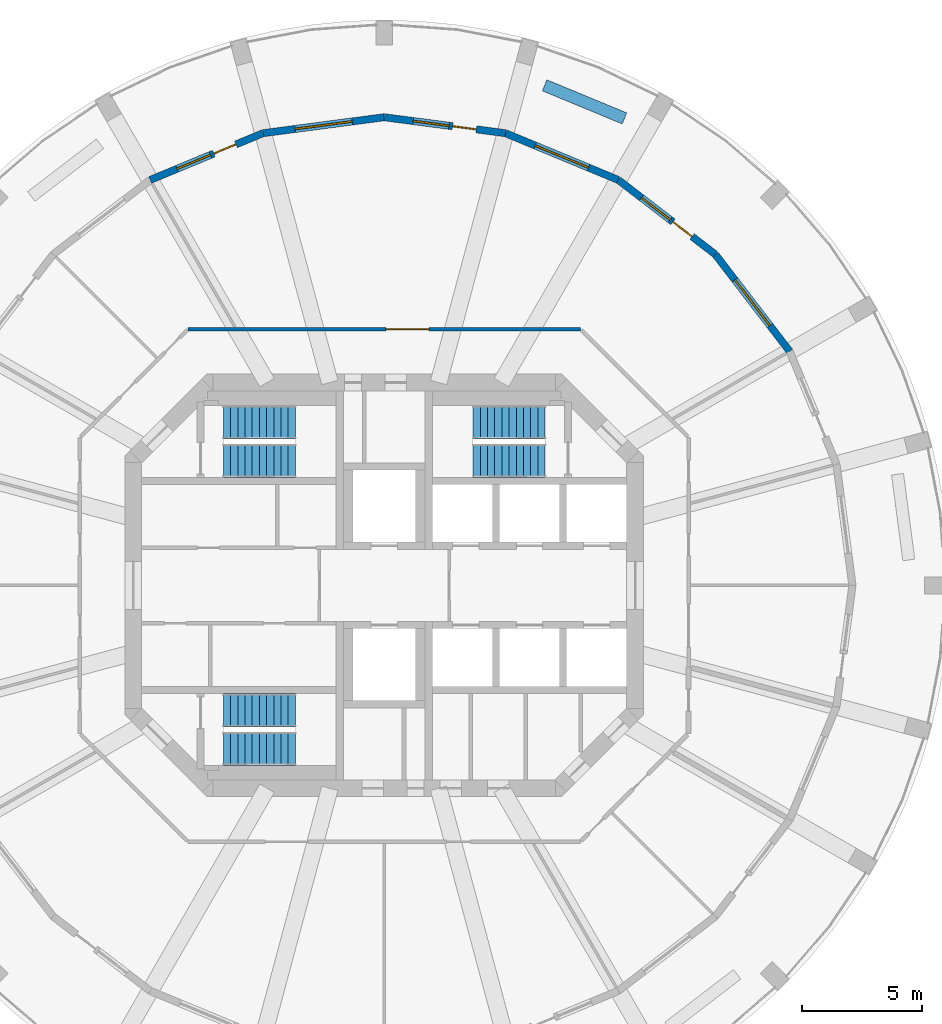
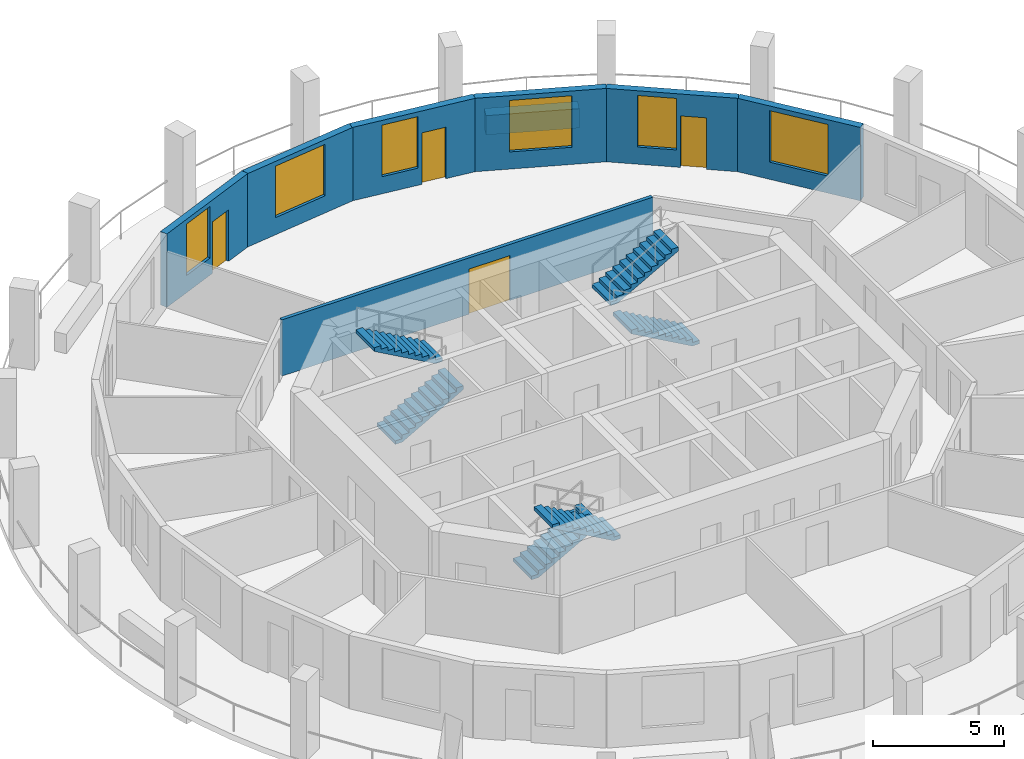
# One storey, part 6 of 8: 8 walls, 6 stair flights, 6 windows, 4 doors, 10 openings, 3 elements without a shape of their own.
"""IFC4 building model written with IfcOpenShell, lengths in metres."""

from ifc_helpers import new_model, si_unit, direction, frame, frame_2d, origin, place, context, subcontext, project, spatial, polyline, rectangle, outline, extrude, material, layer, layer_set, type_object, element, fill, aggregate, save


model = new_model("IFC4")

# Units and contexts
model_context = context("Model", 3, precision=1e-05, world=origin(), true_north=direction((0.0, 1.0)))
body_context = subcontext(model_context, "Body", "Model", "MODEL_VIEW")
ifc_project = project(units=[si_unit("LENGTHUNIT", "METRE"), si_unit("AREAUNIT", "SQUARE_METRE"), si_unit("VOLUMEUNIT", "CUBIC_METRE"), si_unit("PLANEANGLEUNIT", "RADIAN"), si_unit("MASSUNIT", "GRAM", prefix="KILO")], contexts=[model_context])

# Site, building, storey
site_placement = place(None, origin())
site = spatial("IfcSite", under=ifc_project, at=site_placement, CompositionType="ELEMENT")
building_placement = place(site_placement, origin())
building = spatial("IfcBuilding", under=site, at=building_placement, Name="Torre Triforio", CompositionType="ELEMENT")
storey_placement = place(building_placement, frame((0.0, 0.0, 192.800048828125)))
storey = spatial("IfcBuildingStorey", under=building, at=storey_placement, Name="L43", CompositionType="ELEMENT", Elevation=192.800048828125)

# Wall, opening, door
ifc_material_1 = material(Name="Plasterboard on metal studs")
ifc_layer_1 = layer(ifc_material_1, 0.14990234375)
ifc_layer_set_1 = layer_set([ifc_layer_1], Name="Plasterboard on metal studs")
wall_type_1 = type_object("IfcWallType", Name="Corridor and tenancy wall 150 mm EI 60", PredefinedType="PARTITIONING", material=ifc_layer_set_1)
wall_1_placement = place(storey_placement, frame((-8.16650390625, 10.675048828125, 0.0), z_axis=(0.0, 0.0, 1.0), x_axis=(1.0, 0.0, 0.0)))
wall_1 = element("IfcWall", 1, at=wall_1_placement, inside=storey, type_object=wall_type_1, Name="Partition 7", PredefinedType="PARTITIONING", context=body_context, shape_type="SweptSolid", body=[
    extrude(rectangle(XDim=16.3330078125, YDim=0.14990234375, at=frame_2d((8.16650390625, 0.0))), origin(), (0.0, 0.0, 1.0), 2.619873046875),
])
opening_1_placement = place(wall_1_placement, frame((8.239501953125, 0.0, 0.0)))
opening_1 = element("IfcOpeningElement", 2, at=opening_1_placement, cuts=wall_1, Name="Opening O4-01", PredefinedType="OPENING", context=body_context, shape_type="SweptSolid", body=[
    extrude(rectangle(XDim=1.800048828125, YDim=2.10009765625, at=frame_2d((0.89990234375, 1.050048828125))), frame((0.0, 0.0849609375, 0.0), z_axis=(0.0, -1.0, 0.0), x_axis=(1.0, 0.0, 0.0)), (0.0, 0.0, 1.0), 0.169921875),
])
ifc_material_2 = material(Name="Timber", Category="wood")
door_type_1 = type_object("IfcDoorType", Name="Door 1800 x 2100 double leaf EI 30", OperationType="DOUBLE_DOOR_SINGLE_SWING", PredefinedType="DOOR", material=ifc_material_2)
door_1_placement = place(opening_1_placement, origin())
door_1 = element("IfcDoor", 3, at=door_1_placement, inside=storey, type_object=door_type_1, Name="Door O4-01", OperationType="DOUBLE_DOOR_SINGLE_SWING", OverallHeight=2.10009765625, OverallWidth=1.800048828125, PredefinedType="DOOR", context=body_context, shape_type="SweptSolid", body=[
    extrude(rectangle(XDim=1.800048828125, YDim=2.10009765625, at=frame_2d((0.89990234375, 1.050048828125))), frame((0.0, 0.02490234375, 0.0), z_axis=(0.0, -1.0, 0.0), x_axis=(1.0, 0.0, 0.0)), (0.0, 0.0, 1.0), 0.050048828125),
])
fill(opening_1, door_1)

# Wall
ifc_material_3 = material(Name="Limestone cladding", Category="masonry")
ifc_layer_2 = layer(ifc_material_3, 0.10009765625)
ifc_material_4 = material(Name="Concrete C40", Category="concrete")
ifc_layer_3 = layer(ifc_material_4, 0.39990234375)
ifc_layer_set_2 = layer_set([ifc_layer_2, ifc_layer_3], Name="Limestone cladding / Concrete C40")
wall_type_2 = type_object("IfcWallType", Name="Planter wall 500", PredefinedType="PARAPET", material=ifc_layer_set_2)
wall_2_placement = place(storey_placement, frame((10.005615234375, 19.45166015625, 0.0), z_axis=(0.0, 0.0, 1.0), x_axis=(-0.923885420167, 0.382669217998, 0.0)))
element("IfcWall", 4, at=wall_2_placement, inside=storey, type_object=wall_type_2, Name="Planter L43 bay 05", PredefinedType="PARAPET", context=body_context, shape_type="SweptSolid", body=[
    extrude(rectangle(XDim=3.60009765625, YDim=0.5, at=frame_2d((1.800048828125, 0.0))), origin(), (0.0, 0.0, 1.0), 0.89990234375),
])

# Wall, opening, window
ifc_layer_4 = layer(ifc_material_3, 0.10009765625)
ifc_layer_5 = layer(ifc_material_4, 0.199951171875)
ifc_layer_set_3 = layer_set([ifc_layer_4, ifc_layer_5], Name="Limestone cladding / Concrete C40")
wall_type_3 = type_object("IfcWallType", Name="Stone-faced composite wall 300", PredefinedType="STANDARD", material=ifc_layer_set_3)
wall_3_placement = place(storey_placement, frame((16.887451171875, 9.75, 0.0), z_axis=(0.0, 0.0, 1.0), x_axis=(-0.608757714995, 0.79335619014, 0.0)))
wall_3 = element("IfcWall", 5, at=wall_3_placement, inside=storey, type_object=wall_type_3, Name="External wall L43 bay 03", PredefinedType="STANDARD", context=body_context, shape_type="SweptSolid", body=[
    extrude(rectangle(XDim=5.090576171875, YDim=0.300048828125, at=frame_2d((2.54541015625, 0.0))), origin(), (0.0, 0.0, 1.0), 3.419921875),
])
opening_2_placement = place(wall_3_placement, frame((1.34521484375, 0.0, 0.800048828125)))
opening_2 = element("IfcOpeningElement", 6, at=opening_2_placement, cuts=wall_3, Name="Opening O4-W03", PredefinedType="OPENING", context=body_context, shape_type="SweptSolid", body=[
    extrude(rectangle(XDim=2.39990234375, YDim=2.39990234375, at=frame_2d((1.199951171875, 1.199951171875))), frame((0.0, 0.159912109375, 0.0), z_axis=(0.0, -1.0, 0.0), x_axis=(1.0, 0.0, 0.0)), (0.0, 0.0, 1.0), 0.320068359375),
])
ifc_material_5 = material(Name="Aluminium frame with clear double glazing", Category="aluminium")
window_type_1 = type_object("IfcWindowType", Name="Punched window 2400 x 2400", PartitioningType="DOUBLE_PANEL_VERTICAL", PredefinedType="WINDOW", material=ifc_material_5)
window_1_placement = place(opening_2_placement, origin())
window_1 = element("IfcWindow", 7, at=window_1_placement, inside=storey, type_object=window_type_1, Name="Window EWN4 L43 bay 03", OverallHeight=2.39990234375, OverallWidth=2.39990234375, PartitioningType="SINGLE_PANEL", PredefinedType="WINDOW", context=body_context, shape_type="SweptSolid", body=[
    extrude(rectangle(XDim=2.39990234375, YDim=2.39990234375, at=frame_2d((1.199951171875, 1.199951171875))), frame((0.0, 0.030029296875, 0.0), z_axis=(0.0, -1.0, 0.0), x_axis=(1.0, 0.0, 0.0)), (0.0, 0.0, 1.0), 0.06005859375),
])
fill(opening_2, window_1)

# Wall, openings, door, window
wall_4_placement = place(storey_placement, frame((13.78857421875, 13.78857421875, 0.0), z_axis=(0.0, 0.0, 1.0), x_axis=(-0.79335619014, 0.608757714995, 0.0)))
wall_4 = element("IfcWall", 8, at=wall_4_placement, inside=storey, type_object=wall_type_3, Name="External wall L43 bay 04", PredefinedType="STANDARD", context=body_context, shape_type="SweptSolid", body=[
    extrude(rectangle(XDim=5.090576171875, YDim=0.300048828125, at=frame_2d((2.54541015625, 0.0))), origin(), (0.0, 0.0, 1.0), 3.419921875),
])
opening_3_placement = place(wall_4_placement, frame((1.22021484375, 0.0, 0.0)))
opening_3 = element("IfcOpeningElement", 9, at=opening_3_placement, cuts=wall_4, Name="Opening O4-D04", PredefinedType="OPENING", context=body_context, shape_type="SweptSolid", body=[
    extrude(rectangle(XDim=1.0, YDim=2.39990234375, at=frame_2d((0.5, 1.199951171875))), frame((0.0, 0.159912109375, 0.0), z_axis=(0.0, -1.0, 0.0), x_axis=(1.0, 0.0, 0.0)), (0.0, 0.0, 1.0), 0.320068359375),
])
opening_4_placement = place(wall_4_placement, frame((2.370361328125, 0.0, 0.800048828125)))
opening_4 = element("IfcOpeningElement", 10, at=opening_4_placement, cuts=wall_4, Name="Opening O4-W04A", PredefinedType="OPENING", context=body_context, shape_type="SweptSolid", body=[
    extrude(rectangle(XDim=1.5, YDim=2.39990234375, at=frame_2d((0.75, 1.199951171875))), frame((0.0, 0.159912109375, 0.0), z_axis=(0.0, -1.0, 0.0), x_axis=(1.0, 0.0, 0.0)), (0.0, 0.0, 1.0), 0.320068359375),
])
door_type_2 = type_object("IfcDoorType", Name="Loggia door 1000 x 2400", OperationType="NOTDEFINED", PredefinedType="DOOR", material=ifc_material_5)
door_2_placement = place(opening_3_placement, origin())
door_2 = element("IfcDoor", 11, at=door_2_placement, inside=storey, type_object=door_type_2, Name="Loggia door L43 bay 04", OperationType="SINGLE_SWING_LEFT", OverallHeight=2.39990234375, OverallWidth=1.0, PredefinedType="DOOR", context=body_context, shape_type="SweptSolid", body=[
    extrude(rectangle(XDim=1.0, YDim=2.39990234375, at=frame_2d((0.5, 1.199951171875))), frame((0.0, 0.02490234375, 0.0), z_axis=(0.0, -1.0, 0.0), x_axis=(1.0, 0.0, 0.0)), (0.0, 0.0, 1.0), 0.050048828125),
])
fill(opening_3, door_2)
window_type_2 = type_object("IfcWindowType", Name="Side window 1500 x 2400", PartitioningType="SINGLE_PANEL", PredefinedType="WINDOW", material=ifc_material_5)
window_2_placement = place(opening_4_placement, origin())
window_2 = element("IfcWindow", 12, at=window_2_placement, inside=storey, type_object=window_type_2, Name="Side window EWN14 L43 bay 04", OverallHeight=2.39990234375, OverallWidth=1.5, PartitioningType="SINGLE_PANEL", PredefinedType="WINDOW", context=body_context, shape_type="SweptSolid", body=[
    extrude(rectangle(XDim=1.5, YDim=2.39990234375, at=frame_2d((0.75, 1.199951171875))), frame((0.0, 0.030029296875, 0.0), z_axis=(0.0, -1.0, 0.0), x_axis=(1.0, 0.0, 0.0)), (0.0, 0.0, 1.0), 0.06005859375),
])
fill(opening_4, window_2)

# Wall, opening, window
wall_5_placement = place(storey_placement, frame((9.75, 16.887451171875, 0.0), z_axis=(0.0, 0.0, 1.0), x_axis=(-0.923862504675, 0.382724538613, 0.0)))
wall_5 = element("IfcWall", 13, at=wall_5_placement, inside=storey, type_object=wall_type_3, Name="External wall L43 bay 05", PredefinedType="STANDARD", context=body_context, shape_type="SweptSolid", body=[
    extrude(rectangle(XDim=5.090576171875, YDim=0.300048828125, at=frame_2d((2.54541015625, 0.0))), origin(), (0.0, 0.0, 1.0), 3.419921875),
])
opening_5_placement = place(wall_5_placement, frame((1.34521484375, 0.0, 0.800048828125)))
opening_5 = element("IfcOpeningElement", 14, at=opening_5_placement, cuts=wall_5, Name="Opening O4-W05", PredefinedType="OPENING", context=body_context, shape_type="SweptSolid", body=[
    extrude(rectangle(XDim=2.39990234375, YDim=2.39990234375, at=frame_2d((1.199951171875, 1.199951171875))), frame((0.0, 0.159912109375, 0.0), z_axis=(0.0, -1.0, 0.0), x_axis=(1.0, 0.0, 0.0)), (0.0, 0.0, 1.0), 0.320068359375),
])
window_3_placement = place(opening_5_placement, origin())
window_3 = element("IfcWindow", 15, at=window_3_placement, inside=storey, type_object=window_type_1, Name="Window EWN4 L43 bay 05", OverallHeight=2.39990234375, OverallWidth=2.39990234375, PartitioningType="SINGLE_PANEL", PredefinedType="WINDOW", context=body_context, shape_type="SweptSolid", body=[
    extrude(rectangle(XDim=2.39990234375, YDim=2.39990234375, at=frame_2d((1.199951171875, 1.199951171875))), frame((0.0, 0.030029296875, 0.0), z_axis=(0.0, -1.0, 0.0), x_axis=(1.0, 0.0, 0.0)), (0.0, 0.0, 1.0), 0.06005859375),
])
fill(opening_5, window_3)

# Wall, openings, door, window
wall_6_placement = place(storey_placement, frame((5.047119140625, 18.835693359375, 0.0), z_axis=(0.0, 0.0, 1.0), x_axis=(-0.99144890792, 0.130495451964, 0.0)))
wall_6 = element("IfcWall", 16, at=wall_6_placement, inside=storey, type_object=wall_type_3, Name="External wall L43 bay 06", PredefinedType="STANDARD", context=body_context, shape_type="SweptSolid", body=[
    extrude(rectangle(XDim=5.090576171875, YDim=0.300048828125, at=frame_2d((2.54541015625, 0.0))), origin(), (0.0, 0.0, 1.0), 3.419921875),
])
opening_6_placement = place(wall_6_placement, frame((1.22021484375, 0.0, 0.0)))
opening_6 = element("IfcOpeningElement", 17, at=opening_6_placement, cuts=wall_6, Name="Opening O4-D06", PredefinedType="OPENING", context=body_context, shape_type="SweptSolid", body=[
    extrude(rectangle(XDim=1.0, YDim=2.39990234375, at=frame_2d((0.5, 1.199951171875))), frame((0.0, 0.159912109375, 0.0), z_axis=(0.0, -1.0, 0.0), x_axis=(1.0, 0.0, 0.0)), (0.0, 0.0, 1.0), 0.320068359375),
])
opening_7_placement = place(wall_6_placement, frame((2.370361328125, 0.0, 0.800048828125)))
opening_7 = element("IfcOpeningElement", 18, at=opening_7_placement, cuts=wall_6, Name="Opening O4-W06A", PredefinedType="OPENING", context=body_context, shape_type="SweptSolid", body=[
    extrude(rectangle(XDim=1.5, YDim=2.39990234375, at=frame_2d((0.75, 1.199951171875))), frame((0.0, 0.159912109375, 0.0), z_axis=(0.0, -1.0, 0.0), x_axis=(1.0, 0.0, 0.0)), (0.0, 0.0, 1.0), 0.320068359375),
])
door_3_placement = place(opening_6_placement, origin())
door_3 = element("IfcDoor", 19, at=door_3_placement, inside=storey, type_object=door_type_2, Name="Loggia door L43 bay 06", OperationType="SINGLE_SWING_LEFT", OverallHeight=2.39990234375, OverallWidth=1.0, PredefinedType="DOOR", context=body_context, shape_type="SweptSolid", body=[
    extrude(rectangle(XDim=1.0, YDim=2.39990234375, at=frame_2d((0.5, 1.199951171875))), frame((0.0, 0.02490234375, 0.0), z_axis=(0.0, -1.0, 0.0), x_axis=(1.0, 0.0, 0.0)), (0.0, 0.0, 1.0), 0.050048828125),
])
fill(opening_6, door_3)
window_4_placement = place(opening_7_placement, origin())
window_4 = element("IfcWindow", 20, at=window_4_placement, inside=storey, type_object=window_type_2, Name="Side window EWN14 L43 bay 06", OverallHeight=2.39990234375, OverallWidth=1.5, PartitioningType="SINGLE_PANEL", PredefinedType="WINDOW", context=body_context, shape_type="SweptSolid", body=[
    extrude(rectangle(XDim=1.5, YDim=2.39990234375, at=frame_2d((0.75, 1.199951171875))), frame((0.0, 0.030029296875, 0.0), z_axis=(0.0, -1.0, 0.0), x_axis=(1.0, 0.0, 0.0)), (0.0, 0.0, 1.0), 0.06005859375),
])
fill(opening_7, window_4)

# Wall, opening, window
wall_7_placement = place(storey_placement, frame((0.0, 19.5, 0.0), z_axis=(0.0, 0.0, 1.0), x_axis=(-0.99144890792, -0.130495451964, 0.0)))
wall_7 = element("IfcWall", 21, at=wall_7_placement, inside=storey, type_object=wall_type_3, Name="External wall L43 bay 07", PredefinedType="STANDARD", context=body_context, shape_type="SweptSolid", body=[
    extrude(rectangle(XDim=5.090576171875, YDim=0.300048828125, at=frame_2d((2.54541015625, 0.0))), origin(), (0.0, 0.0, 1.0), 3.419921875),
])
opening_8_placement = place(wall_7_placement, frame((1.34521484375, 0.0, 0.800048828125)))
opening_8 = element("IfcOpeningElement", 22, at=opening_8_placement, cuts=wall_7, Name="Opening O4-W07", PredefinedType="OPENING", context=body_context, shape_type="SweptSolid", body=[
    extrude(rectangle(XDim=2.39990234375, YDim=2.39990234375, at=frame_2d((1.199951171875, 1.199951171875))), frame((0.0, 0.159912109375, 0.0), z_axis=(0.0, -1.0, 0.0), x_axis=(1.0, 0.0, 0.0)), (0.0, 0.0, 1.0), 0.320068359375),
])
window_5_placement = place(opening_8_placement, origin())
window_5 = element("IfcWindow", 23, at=window_5_placement, inside=storey, type_object=window_type_1, Name="Window EWN4 L43 bay 07", OverallHeight=2.39990234375, OverallWidth=2.39990234375, PartitioningType="SINGLE_PANEL", PredefinedType="WINDOW", context=body_context, shape_type="SweptSolid", body=[
    extrude(rectangle(XDim=2.39990234375, YDim=2.39990234375, at=frame_2d((1.199951171875, 1.199951171875))), frame((0.0, 0.030029296875, 0.0), z_axis=(0.0, -1.0, 0.0), x_axis=(1.0, 0.0, 0.0)), (0.0, 0.0, 1.0), 0.06005859375),
])
fill(opening_8, window_5)

# Wall, openings, door, window
wall_8_placement = place(storey_placement, frame((-5.047119140625, 18.835693359375, 0.0), z_axis=(0.0, 0.0, 1.0), x_axis=(-0.923862504675, -0.382724538613, 0.0)))
wall_8 = element("IfcWall", 24, at=wall_8_placement, inside=storey, type_object=wall_type_3, Name="External wall L43 bay 08", PredefinedType="STANDARD", context=body_context, shape_type="SweptSolid", body=[
    extrude(rectangle(XDim=5.090576171875, YDim=0.300048828125, at=frame_2d((2.54541015625, 0.0))), origin(), (0.0, 0.0, 1.0), 3.419921875),
])
opening_9_placement = place(wall_8_placement, frame((1.22021484375, 0.0, 0.0)))
opening_9 = element("IfcOpeningElement", 25, at=opening_9_placement, cuts=wall_8, Name="Opening O4-D08", PredefinedType="OPENING", context=body_context, shape_type="SweptSolid", body=[
    extrude(rectangle(XDim=1.0, YDim=2.39990234375, at=frame_2d((0.5, 1.199951171875))), frame((0.0, 0.159912109375, 0.0), z_axis=(0.0, -1.0, 0.0), x_axis=(1.0, 0.0, 0.0)), (0.0, 0.0, 1.0), 0.320068359375),
])
opening_10_placement = place(wall_8_placement, frame((2.370361328125, 0.0, 0.800048828125)))
opening_10 = element("IfcOpeningElement", 26, at=opening_10_placement, cuts=wall_8, Name="Opening O4-W08A", PredefinedType="OPENING", context=body_context, shape_type="SweptSolid", body=[
    extrude(rectangle(XDim=1.5, YDim=2.39990234375, at=frame_2d((0.75, 1.199951171875))), frame((0.0, 0.159912109375, 0.0), z_axis=(0.0, -1.0, 0.0), x_axis=(1.0, 0.0, 0.0)), (0.0, 0.0, 1.0), 0.320068359375),
])
door_4_placement = place(opening_9_placement, origin())
door_4 = element("IfcDoor", 27, at=door_4_placement, inside=storey, type_object=door_type_2, Name="Loggia door L43 bay 08", OperationType="SINGLE_SWING_LEFT", OverallHeight=2.39990234375, OverallWidth=1.0, PredefinedType="DOOR", context=body_context, shape_type="SweptSolid", body=[
    extrude(rectangle(XDim=1.0, YDim=2.39990234375, at=frame_2d((0.5, 1.199951171875))), frame((0.0, 0.02490234375, 0.0), z_axis=(0.0, -1.0, 0.0), x_axis=(1.0, 0.0, 0.0)), (0.0, 0.0, 1.0), 0.050048828125),
])
fill(opening_9, door_4)
window_6_placement = place(opening_10_placement, origin())
window_6 = element("IfcWindow", 28, at=window_6_placement, inside=storey, type_object=window_type_2, Name="Side window EWN14 L43 bay 08", OverallHeight=2.39990234375, OverallWidth=1.5, PartitioningType="SINGLE_PANEL", PredefinedType="WINDOW", context=body_context, shape_type="SweptSolid", body=[
    extrude(rectangle(XDim=1.5, YDim=2.39990234375, at=frame_2d((0.75, 1.199951171875))), frame((0.0, 0.030029296875, 0.0), z_axis=(0.0, -1.0, 0.0), x_axis=(1.0, 0.0, 0.0)), (0.0, 0.0, 1.0), 0.06005859375),
])
fill(opening_10, window_6)

# Stair, stair flights
stair_type = type_object("IfcStairType", Name="STAIR HALF-TURN", PredefinedType="HALF_TURN_STAIR", material=ifc_material_4)
stair_1_placement = place(storey_placement, origin())
stair_1 = element("IfcStair", 29, at=stair_1_placement, inside=storey, type_object=stair_type, Name="Exit stair 1", PredefinedType="HALF_TURN_STAIR")
stair_flight_type = type_object("IfcStairFlightType", Name="STAIR FLIGHT 1400", PredefinedType="STRAIGHT", material=ifc_material_4)
stair_flight_1_placement = place(storey_placement, frame((-6.699951171875, 5.199951171875, 0.0), z_axis=(0.0, 0.0, 1.0), x_axis=(1.0, 0.0, 0.0)))
stair_flight_1 = element("IfcStairFlight", 30, at=stair_flight_1_placement, type_object=stair_flight_type, Name="ST1 flight 1", NumberOfRisers=11, NumberOfTreads=10, PredefinedType="STRAIGHT", RiserHeight=0.168181818, TreadLength=0.3, context=body_context, shape_type="SweptSolid", body=[
    extrude(outline(polyline([(0.0, 0.0), (0.0, 0.168212890625), (0.300048828125, 0.168212890625), (0.300048828125, 0.33642578125), (0.60009765625, 0.33642578125), (0.60009765625, 0.504638671875), (0.89990234375, 0.504638671875), (0.89990234375, 0.672607421875), (1.199951171875, 0.672607421875), (1.199951171875, 0.8408203125), (1.5, 0.8408203125), (1.5, 1.009033203125), (1.800048828125, 1.009033203125), (1.800048828125, 1.17724609375), (2.10009765625, 1.17724609375), (2.10009765625, 1.345458984375), (2.39990234375, 1.345458984375), (2.39990234375, 1.513671875), (2.699951171875, 1.513671875), (2.699951171875, 1.681884765625), (3.0, 1.681884765625), (3.0, 1.85009765625), (3.0, 1.510009765625), (0.306640625, 0.0), (0.0, 0.0)])), frame((0.0, 0.699951171875, 0.0), z_axis=(0.0, -1.0, 0.0), x_axis=(1.0, 0.0, 0.0)), (0.0, 0.0, 1.0), 1.39990234375),
])
stair_flight_2_placement = place(storey_placement, frame((-3.699951171875, 6.800048828125, 1.849853515625), z_axis=(0.0, 0.0, 1.0), x_axis=(-1.0, 0.0, 0.0)))
stair_flight_2 = element("IfcStairFlight", 31, at=stair_flight_2_placement, type_object=stair_flight_type, Name="ST1 flight 2", NumberOfRisers=11, NumberOfTreads=10, PredefinedType="STRAIGHT", RiserHeight=0.168181818, TreadLength=0.3, context=body_context, shape_type="SweptSolid", body=[
    extrude(outline(polyline([(0.0, 0.0), (0.0, 0.168212890625), (0.300048828125, 0.168212890625), (0.300048828125, 0.33642578125), (0.60009765625, 0.33642578125), (0.60009765625, 0.504638671875), (0.89990234375, 0.504638671875), (0.89990234375, 0.672607421875), (1.199951171875, 0.672607421875), (1.199951171875, 0.8408203125), (1.5, 0.8408203125), (1.5, 1.009033203125), (1.800048828125, 1.009033203125), (1.800048828125, 1.17724609375), (2.10009765625, 1.17724609375), (2.10009765625, 1.345458984375), (2.39990234375, 1.345458984375), (2.39990234375, 1.513671875), (2.699951171875, 1.513671875), (2.699951171875, 1.681884765625), (3.0, 1.681884765625), (3.0, 1.85009765625), (3.0, 1.510009765625), (0.306640625, 0.0), (0.0, 0.0)])), frame((0.0, 0.699951171875, 0.0), z_axis=(0.0, -1.0, 0.0), x_axis=(1.0, 0.0, 0.0)), (0.0, 0.0, 1.0), 1.39990234375),
])
aggregate(stair_1, [stair_flight_1, stair_flight_2])

stair_2_placement = place(storey_placement, origin())
stair_2 = element("IfcStair", 32, at=stair_2_placement, inside=storey, type_object=stair_type, Name="Exit stair 2", PredefinedType="HALF_TURN_STAIR")
stair_flight_3_placement = place(storey_placement, frame((6.699951171875, 5.199951171875, 0.0), z_axis=(0.0, 0.0, 1.0), x_axis=(-1.0, 0.0, 0.0)))
stair_flight_3 = element("IfcStairFlight", 33, at=stair_flight_3_placement, type_object=stair_flight_type, Name="ST2 flight 1", NumberOfRisers=11, NumberOfTreads=10, PredefinedType="STRAIGHT", RiserHeight=0.168181818, TreadLength=0.3, context=body_context, shape_type="SweptSolid", body=[
    extrude(outline(polyline([(0.0, 0.0), (0.0, 0.168212890625), (0.300048828125, 0.168212890625), (0.300048828125, 0.33642578125), (0.60009765625, 0.33642578125), (0.60009765625, 0.504638671875), (0.89990234375, 0.504638671875), (0.89990234375, 0.672607421875), (1.199951171875, 0.672607421875), (1.199951171875, 0.8408203125), (1.5, 0.8408203125), (1.5, 1.009033203125), (1.800048828125, 1.009033203125), (1.800048828125, 1.17724609375), (2.10009765625, 1.17724609375), (2.10009765625, 1.345458984375), (2.39990234375, 1.345458984375), (2.39990234375, 1.513671875), (2.699951171875, 1.513671875), (2.699951171875, 1.681884765625), (3.0, 1.681884765625), (3.0, 1.85009765625), (3.0, 1.510009765625), (0.306640625, 0.0), (0.0, 0.0)])), frame((0.0, 0.699951171875, 0.0), z_axis=(0.0, -1.0, 0.0), x_axis=(1.0, 0.0, 0.0)), (0.0, 0.0, 1.0), 1.39990234375),
])
stair_flight_4_placement = place(storey_placement, frame((3.699951171875, 6.800048828125, 1.849853515625), z_axis=(0.0, 0.0, 1.0), x_axis=(1.0, 0.0, 0.0)))
stair_flight_4 = element("IfcStairFlight", 34, at=stair_flight_4_placement, type_object=stair_flight_type, Name="ST2 flight 2", NumberOfRisers=11, NumberOfTreads=10, PredefinedType="STRAIGHT", RiserHeight=0.168181818, TreadLength=0.3, context=body_context, shape_type="SweptSolid", body=[
    extrude(outline(polyline([(0.0, 0.0), (0.0, 0.168212890625), (0.300048828125, 0.168212890625), (0.300048828125, 0.33642578125), (0.60009765625, 0.33642578125), (0.60009765625, 0.504638671875), (0.89990234375, 0.504638671875), (0.89990234375, 0.672607421875), (1.199951171875, 0.672607421875), (1.199951171875, 0.8408203125), (1.5, 0.8408203125), (1.5, 1.009033203125), (1.800048828125, 1.009033203125), (1.800048828125, 1.17724609375), (2.10009765625, 1.17724609375), (2.10009765625, 1.345458984375), (2.39990234375, 1.345458984375), (2.39990234375, 1.513671875), (2.699951171875, 1.513671875), (2.699951171875, 1.681884765625), (3.0, 1.681884765625), (3.0, 1.85009765625), (3.0, 1.510009765625), (0.306640625, 0.0), (0.0, 0.0)])), frame((0.0, 0.699951171875, 0.0), z_axis=(0.0, -1.0, 0.0), x_axis=(1.0, 0.0, 0.0)), (0.0, 0.0, 1.0), 1.39990234375),
])
aggregate(stair_2, [stair_flight_3, stair_flight_4])

stair_3_placement = place(storey_placement, origin())
stair_3 = element("IfcStair", 35, at=stair_3_placement, inside=storey, type_object=stair_type, Name="Exit stair 3", PredefinedType="HALF_TURN_STAIR")
stair_flight_5_placement = place(storey_placement, frame((-6.699951171875, -5.199951171875, 0.0), z_axis=(0.0, 0.0, 1.0), x_axis=(1.0, 0.0, 0.0)))
stair_flight_5 = element("IfcStairFlight", 36, at=stair_flight_5_placement, type_object=stair_flight_type, Name="ST3 flight 1", NumberOfRisers=11, NumberOfTreads=10, PredefinedType="STRAIGHT", RiserHeight=0.168181818, TreadLength=0.3, context=body_context, shape_type="SweptSolid", body=[
    extrude(outline(polyline([(0.0, 0.0), (0.0, 0.168212890625), (0.300048828125, 0.168212890625), (0.300048828125, 0.33642578125), (0.60009765625, 0.33642578125), (0.60009765625, 0.504638671875), (0.89990234375, 0.504638671875), (0.89990234375, 0.672607421875), (1.199951171875, 0.672607421875), (1.199951171875, 0.8408203125), (1.5, 0.8408203125), (1.5, 1.009033203125), (1.800048828125, 1.009033203125), (1.800048828125, 1.17724609375), (2.10009765625, 1.17724609375), (2.10009765625, 1.345458984375), (2.39990234375, 1.345458984375), (2.39990234375, 1.513671875), (2.699951171875, 1.513671875), (2.699951171875, 1.681884765625), (3.0, 1.681884765625), (3.0, 1.85009765625), (3.0, 1.510009765625), (0.306640625, 0.0), (0.0, 0.0)])), frame((0.0, 0.699951171875, 0.0), z_axis=(0.0, -1.0, 0.0), x_axis=(1.0, 0.0, 0.0)), (0.0, 0.0, 1.0), 1.39990234375),
])
stair_flight_6_placement = place(storey_placement, frame((-3.699951171875, -6.800048828125, 1.849853515625), z_axis=(0.0, 0.0, 1.0), x_axis=(-1.0, 0.0, 0.0)))
stair_flight_6 = element("IfcStairFlight", 37, at=stair_flight_6_placement, type_object=stair_flight_type, Name="ST3 flight 2", NumberOfRisers=11, NumberOfTreads=10, PredefinedType="STRAIGHT", RiserHeight=0.168181818, TreadLength=0.3, context=body_context, shape_type="SweptSolid", body=[
    extrude(outline(polyline([(0.0, 0.0), (0.0, 0.168212890625), (0.300048828125, 0.168212890625), (0.300048828125, 0.33642578125), (0.60009765625, 0.33642578125), (0.60009765625, 0.504638671875), (0.89990234375, 0.504638671875), (0.89990234375, 0.672607421875), (1.199951171875, 0.672607421875), (1.199951171875, 0.8408203125), (1.5, 0.8408203125), (1.5, 1.009033203125), (1.800048828125, 1.009033203125), (1.800048828125, 1.17724609375), (2.10009765625, 1.17724609375), (2.10009765625, 1.345458984375), (2.39990234375, 1.345458984375), (2.39990234375, 1.513671875), (2.699951171875, 1.513671875), (2.699951171875, 1.681884765625), (3.0, 1.681884765625), (3.0, 1.85009765625), (3.0, 1.510009765625), (0.306640625, 0.0), (0.0, 0.0)])), frame((0.0, 0.699951171875, 0.0), z_axis=(0.0, -1.0, 0.0), x_axis=(1.0, 0.0, 0.0)), (0.0, 0.0, 1.0), 1.39990234375),
])
aggregate(stair_3, [stair_flight_5, stair_flight_6])

save(model, "model.ifc")
